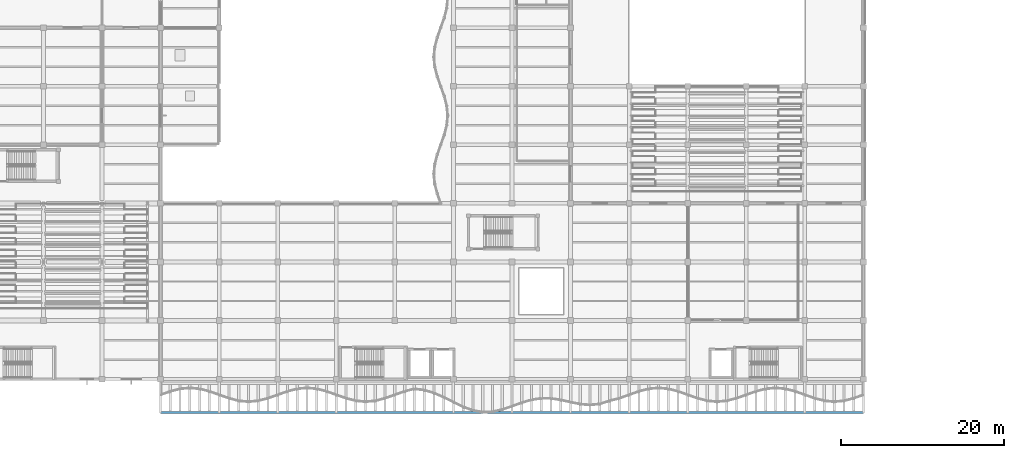
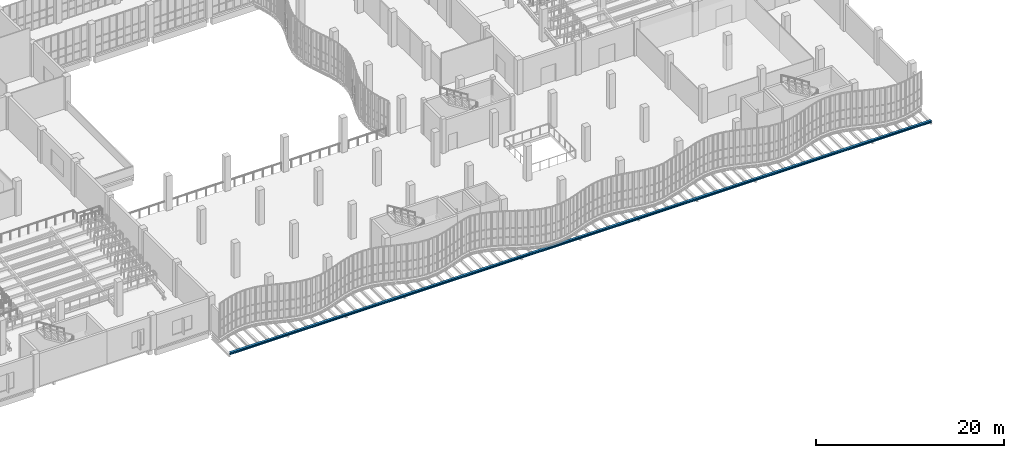
# One storey, part 28 of 108: 1 beam.
"""IFC4 building model written with IfcOpenShell, lengths in metres."""

from ifc_helpers import new_model, si_unit, direction, frame, origin, origin_2d, place, context, subcontext, project, spatial, i_section, extrude, material, material_profile, profile_set, type_object, element, save


model = new_model("IFC4")

# Units and contexts
model_context = context("Model", 3, precision=1e-05, world=origin(), true_north=direction((0.0, 1.0)))
body_context = subcontext(model_context, "Body", "Model", "MODEL_VIEW")
ifc_project = project(units=[si_unit("LENGTHUNIT", "METRE"), si_unit("AREAUNIT", "SQUARE_METRE"), si_unit("VOLUMEUNIT", "CUBIC_METRE"), si_unit("PLANEANGLEUNIT", "RADIAN"), si_unit("MASSUNIT", "GRAM", prefix="KILO"), si_unit("THERMODYNAMICTEMPERATUREUNIT", "KELVIN"), si_unit("POWERUNIT", "WATT")], contexts=[model_context])

# Site, building, storey
site_placement = place(None, origin())
site = spatial("IfcSite", under=ifc_project, at=site_placement, CompositionType="ELEMENT")
building_placement = place(site_placement, origin())
building = spatial("IfcBuilding", under=site, at=building_placement, Name="Kaldorven Railside Theatre", CompositionType="ELEMENT")
storey_placement = place(building_placement, frame((0.0, 0.0, 5.39990234375)))
storey = spatial("IfcBuildingStorey", under=building, at=storey_placement, Name="L01", CompositionType="ELEMENT", Elevation=5.39990234375)

# Beam
ifc_material = material(Name="Steel S355", Category="steel")
ifc_material_profile = material_profile(ifc_material, i_section(OverallWidth=0.280029296875, OverallDepth=0.280029296875, WebThickness=0.010498046875, FlangeThickness=0.01806640625, at=origin_2d()), Name="HEB 280")
ifc_profile_set = profile_set([ifc_material_profile], Name="Steel S355")
beam_type = type_object("IfcBeamType", Name="BM-HEB280", PredefinedType="SPANDREL", material=ifc_profile_set)
beam_placement = place(storey_placement, frame((36.800048828125, 15.10009765625, -0.719970703125), z_axis=(1.0, 0.0, 0.0), x_axis=(0.0, 1.0, 0.0)))
element("IfcBeam", 1, at=beam_placement, inside=storey, type_object=beam_type, Name="L01 Sinusoidal Out Collector Girder FOB-T012", PredefinedType="SPANDREL", context=body_context, shape_type="SweptSolid", body=[
    extrude(i_section(OverallWidth=0.280029296875, OverallDepth=0.280029296875, WebThickness=0.010498046875, FlangeThickness=0.01806640625, at=origin_2d()), origin(), (0.0, 0.0, 1.0), 86.39990234375),
])

save(model, "model.ifc")
